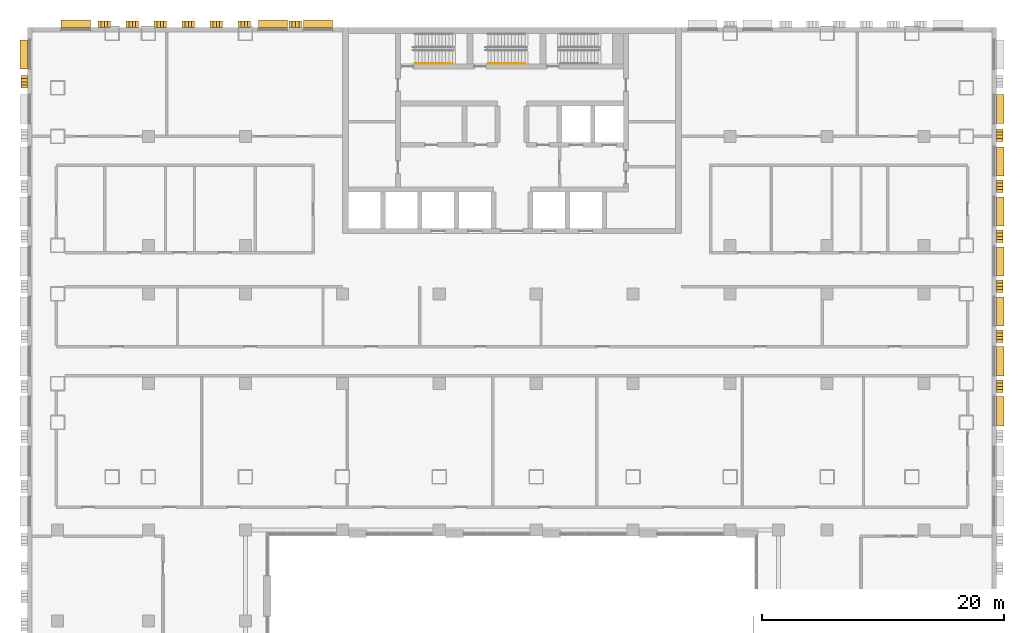
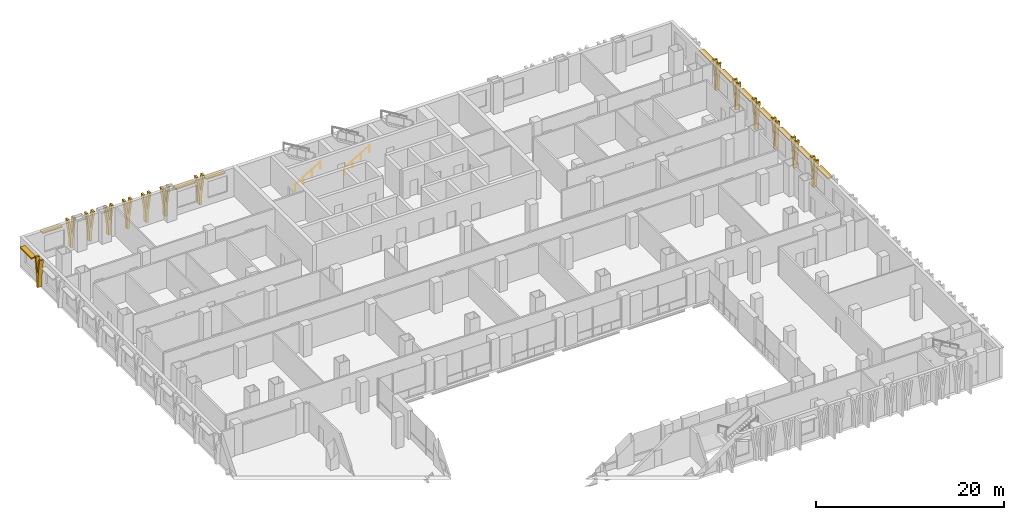
# One storey, part 23 of 25: 25 shading devices, 2 railings.
"""IFC4 building model written with IfcOpenShell, lengths in metres."""

from ifc_helpers import new_model, si_unit, direction, frame, origin, origin_2d, place, context, subcontext, project, spatial, polyline, rectangle, circle, outline, extrude, material, layer, layer_set, type_object, element, save


model = new_model("IFC4")

# Units and contexts
model_context = context("Model", 3, precision=1e-05, world=origin(), true_north=direction((0.0, 1.0)))
body_context = subcontext(model_context, "Body", "Model", "MODEL_VIEW")
ifc_project = project(units=[si_unit("LENGTHUNIT", "METRE"), si_unit("AREAUNIT", "SQUARE_METRE"), si_unit("VOLUMEUNIT", "CUBIC_METRE"), si_unit("PLANEANGLEUNIT", "RADIAN"), si_unit("MASSUNIT", "GRAM", prefix="KILO")], contexts=[model_context])

# Site, building, storey
site_placement = place(None, origin())
site = spatial("IfcSite", under=ifc_project, at=site_placement, CompositionType="ELEMENT")
building_placement = place(site_placement, origin())
building = spatial("IfcBuilding", under=site, at=building_placement, Name="Vidyagriha Tower", CompositionType="ELEMENT")
storey_placement = place(building_placement, frame((0.0, 0.0, 14.0)))
storey = spatial("IfcBuildingStorey", under=building, at=storey_placement, Name="L03", CompositionType="ELEMENT", Elevation=14.0)

# Shading devices
ifc_material_1 = material(Name="Precast concrete C40/50 with brick facing", Category="concrete")
ifc_layer_1 = layer(ifc_material_1, 0.14990234375)
ifc_layer_set_1 = layer_set([ifc_layer_1], Name="Precast concrete C40/50 with brick facing")
shading_device_type_1 = type_object("IfcShadingDeviceType", Name="Brick chhajja window hood", PredefinedType="AWNING", material=ifc_layer_set_1)
for number, where, z_axis, x_axis, name in (
    (1, (40.300048828125, -11.6875, 3.0), (0.0, 0.0, 1.0), (0.0, 1.0, 0.0), "Window hood L03 R01.12"),
    (2, (40.300048828125, -7.5625, 3.0), (0.0, 0.0, 1.0), (0.0, 1.0, 0.0), "Window hood L03 R01.13"),
    (3, (40.300048828125, -3.4375, 3.0), (0.0, 0.0, 1.0), (0.0, 1.0, 0.0), "Window hood L03 R01.14"),
    (4, (40.300048828125, 0.6875, 3.0), (0.0, 0.0, 1.0), (0.0, 1.0, 0.0), "Window hood L03 R01.15"),
    (5, (40.300048828125, 4.8125, 3.0), (0.0, 0.0, 1.0), (0.0, 1.0, 0.0), "Window hood L03 R01.16"),
    (6, (40.300048828125, 8.9375, 3.0), (0.0, 0.0, 1.0), (0.0, 1.0, 0.0), "Window hood L03 R01.17"),
    (7, (40.300048828125, 13.25, 3.0), (0.0, 0.0, 1.0), (0.0, 1.0, 0.0), "Window hood L03 R01.18"),
    (8, (-16.0, 20.300048828125, 3.0), (0.0, 0.0, 1.0), (-1.0, 0.0, 0.0), "Window hood L03 R04.1"),
    (9, (-19.735107421875, 20.300048828125, 3.0), (0.0, 0.0, 1.0), (-1.0, 0.0, 0.0), "Window hood L03 R04.2"),
    (10, (-36.0, 20.300048828125, 3.0), (0.0, 0.0, 1.0), (-1.0, 0.0, 0.0), "Window hood L03 R04.13"),
    (11, (-40.300048828125, 17.75, 3.0), (0.0, 0.0, 1.0), (0.0, -1.0, 0.0), "Window hood L03 R05.1"),
):
    element("IfcShadingDevice", number, at=place(storey_placement, frame(where, z_axis=z_axis, x_axis=x_axis)), inside=storey, type_object=shading_device_type_1, Name=name, PredefinedType="AWNING", context=body_context, shape_type="SweptSolid", body=[
        extrude(rectangle(XDim=2.39990234375, YDim=0.60009765625, at=origin_2d()), origin(), (0.0, 0.0, 1.0), 0.14990234375),
    ])
ifc_material_2 = material(Name="Precast concrete C40/50 with buff brick facing", Category="concrete")
ifc_layer_2 = layer(ifc_material_2, 0.300048828125)
ifc_layer_set_2 = layer_set([ifc_layer_2], Name="Precast concrete C40/50 with buff brick facing")
shading_device_type_2 = type_object("IfcShadingDeviceType", Name="Brick-faced podium blade forking 8 degrees", PredefinedType="USERDEFINED", material=ifc_layer_set_2)
for number, where, z_axis, x_axis, name in (
    (12, (40.25, -10.140380859375, 0.0), (0.0, 0.0, 1.0), (0.0, 1.0, 0.0), "Podium blade L03 R01.4038"),
    (13, (40.25, -6.015380859375, 0.0), (0.0, 0.0, 1.0), (0.0, 1.0, 0.0), "Podium blade L03 R01.4450"),
    (14, (40.25, -1.890380859375, 0.0), (0.0, 0.0, 1.0), (0.0, 1.0, 0.0), "Podium blade L03 R01.4862"),
    (15, (40.25, 2.234619140625, 0.0), (0.0, 0.0, 1.0), (0.0, 1.0, 0.0), "Podium blade L03 R01.5275"),
    (16, (40.25, 6.359619140625, 0.0), (0.0, 0.0, 1.0), (0.0, 1.0, 0.0), "Podium blade L03 R01.5688"),
    (17, (40.25, 10.578369140625, 0.0), (0.0, 0.0, 1.0), (0.0, 1.0, 0.0), "Podium blade L03 R01.6109"),
    (18, (-17.35205078125, 20.25, 0.0), (0.0, 0.0, 1.0), (-1.0, 0.0, 0.0), "Podium blade L03 R04.387"),
    (19, (-21.574951171875, 20.25, 0.0), (0.0, 0.0, 1.0), (-1.0, 0.0, 0.0), "Podium blade L03 R04.809"),
    (20, (-23.8857421875, 20.25, 0.0), (0.0, 0.0, 1.0), (-1.0, 0.0, 0.0), "Podium blade L03 R04.1040"),
    (21, (-26.19677734375, 20.25, 0.0), (0.0, 0.0, 1.0), (-1.0, 0.0, 0.0), "Podium blade L03 R04.1271"),
    (22, (-28.507568359375, 20.25, 0.0), (0.0, 0.0, 1.0), (-1.0, 0.0, 0.0), "Podium blade L03 R04.1502"),
    (23, (-30.818359375, 20.25, 0.0), (0.0, 0.0, 1.0), (-1.0, 0.0, 0.0), "Podium blade L03 R04.1733"),
    (24, (-33.129150390625, 20.25, 0.0), (0.0, 0.0, 1.0), (-1.0, 0.0, 0.0), "Podium blade L03 R04.1964"),
    (25, (-40.25, 16.015380859375, 0.0), (0.0, 0.0, 1.0), (0.0, -1.0, 0.0), "Podium blade L03 R05.450"),
):
    element("IfcShadingDevice", number, at=place(storey_placement, frame(where, z_axis=z_axis, x_axis=x_axis)), inside=storey, type_object=shading_device_type_2, Name=name, ObjectType="BLADE FIN", PredefinedType="USERDEFINED", context=body_context, shape_type="SweptSolid", body=[
        extrude(outline(polyline([(0.665283203125, 0.0), (0.665283203125, 1.10009765625), (1.03076171875, 3.699951171875), (0.790771484375, 3.699951171875), (0.515380859375, 1.740478515625), (0.239990234375, 3.699951171875), (0.0, 3.699951171875), (0.365478515625, 1.10009765625), (0.365478515625, 0.0), (0.665283203125, 0.0)])), frame((0.0, 0.25, 0.0), z_axis=(0.0, -1.0, 0.0), x_axis=(1.0, 0.0, 0.0)), (0.0, 0.0, 1.0), 0.5),
    ])

# Railings
ifc_material_3 = material(Name="Steel ASTM A500 Grade C", Category="steel")
railing_type = type_object("IfcRailingType", Name="Stair handrail 900 mm, steel", PredefinedType="HANDRAIL", material=ifc_material_3)
for number, where, name in (
    (26, (-8.0, 17.0, 0.166748046875), "L03 ST1 stair handrail 1"),
    (27, (-2.0, 17.0, 0.166748046875), "L03 ST2 stair handrail 1"),
):
    element("IfcRailing", number, at=place(storey_placement, frame(where)), inside=storey, type_object=railing_type, Name=name, PredefinedType="HANDRAIL", context=body_context, shape_type="SweptSolid", body=[
        extrude(circle(Radius=0.02392578125, at=origin_2d()), frame((0.0, 0.0, 0.8759765625), z_axis=(0.859308565015, 0.0, 0.511457515432), x_axis=(0.0, 1.0, 0.0)), (0.0, 0.0, 1.0), 3.58447265625),
        extrude(circle(Radius=0.02099609375, at=origin_2d()), origin(), (0.0, 0.0, 1.0), 0.851806640625),
        extrude(circle(Radius=0.02099609375, at=origin_2d()), frame((1.026611328125, 0.0, 0.611083984375)), (0.0, 0.0, 1.0), 0.851806640625),
        extrude(circle(Radius=0.02099609375, at=origin_2d()), frame((2.053466796875, 0.0, 1.22216796875)), (0.0, 0.0, 1.0), 0.851806640625),
        extrude(circle(Radius=0.02099609375, at=origin_2d()), frame((3.080078125, 0.0, 1.833251953125)), (0.0, 0.0, 1.0), 0.851806640625),
    ])

save(model, "model.ifc")
